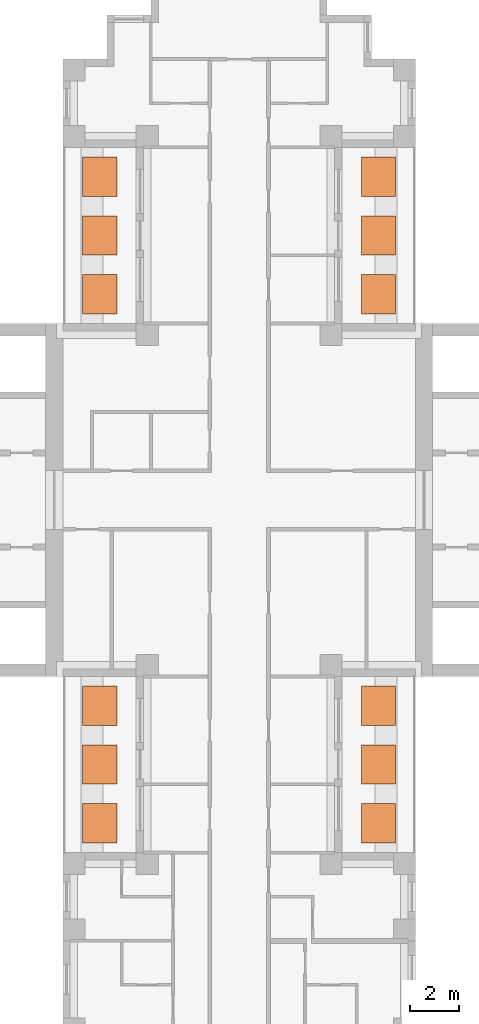
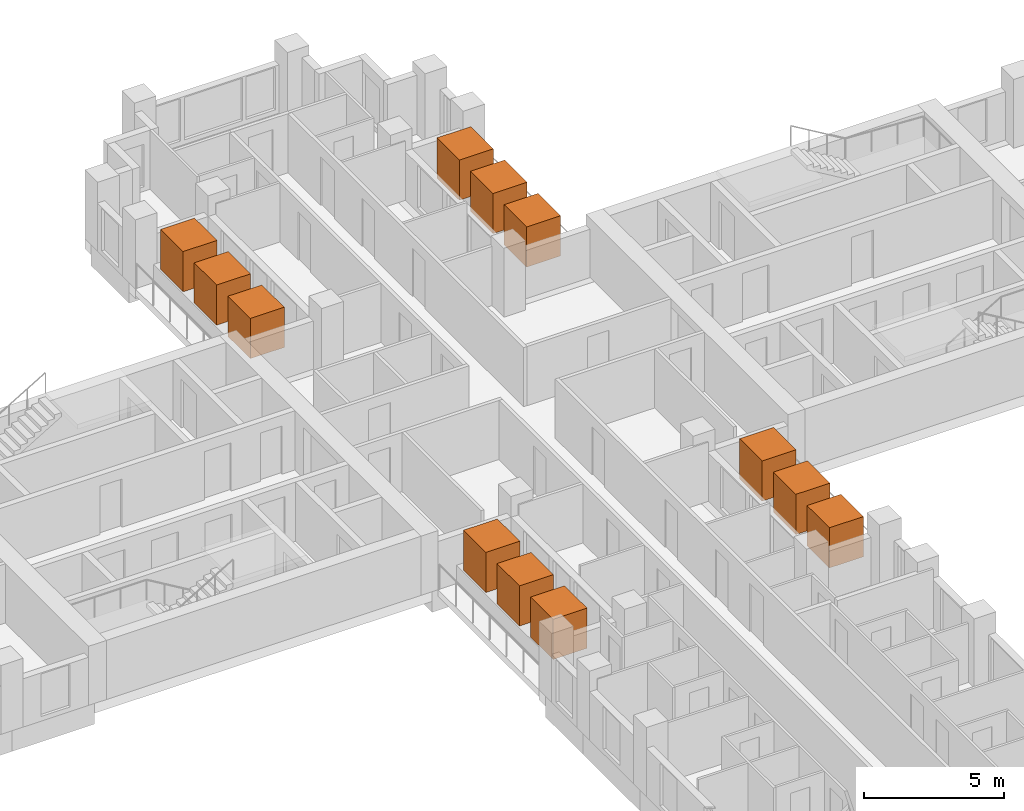
# One storey, part 14 of 14: 12 geographic elements.
"""IFC4 building model written with IfcOpenShell, lengths in metres."""

from ifc_helpers import new_model, si_unit, direction, frame, origin, origin_2d, place, context, subcontext, project, spatial, rectangle, extrude, material, element, save


model = new_model("IFC4")

# Units and contexts
model_context = context("Model", 3, precision=1e-05, world=origin(), true_north=direction((0.0, 1.0)))
body_context = subcontext(model_context, "Body", "Model", "MODEL_VIEW")
ifc_project = project(units=[si_unit("LENGTHUNIT", "METRE"), si_unit("AREAUNIT", "SQUARE_METRE"), si_unit("VOLUMEUNIT", "CUBIC_METRE"), si_unit("PLANEANGLEUNIT", "RADIAN"), si_unit("MASSUNIT", "GRAM", prefix="KILO")], contexts=[model_context])

# Site, building, storey
site_placement = place(None, origin())
site = spatial("IfcSite", under=ifc_project, at=site_placement, CompositionType="ELEMENT")
building_placement = place(site_placement, origin())
building = spatial("IfcBuilding", under=site, at=building_placement, Name="Fustian Cross Tower", CompositionType="ELEMENT")
storey_placement = place(building_placement, frame((0.0, 0.0, 72.89990234375)))
storey = spatial("IfcBuildingStorey", under=building, at=storey_placement, Name="L22", CompositionType="ELEMENT", Elevation=72.89990234375)

# Geographic elements
ifc_material = material(Name="Evergreen foliage")
for number, where, z_axis, x_axis, name in (
    (1, (5.68994140625, 8.39990234375, 0.800048828125), (0.0, 0.0, 1.0), (1.0, 0.0, 0.0), "TREE field maple"),
    (2, (5.68994140625, 10.800048828125, 0.800048828125), (0.0, 0.0, 1.0), (1.0, 0.0, 0.0), "TREE field maple"),
    (3, (5.68994140625, 13.199951171875, 0.800048828125), (0.0, 0.0, 1.0), (1.0, 0.0, 0.0), "TREE field maple"),
    (4, (-5.68994140625, 8.39990234375, 0.800048828125), (0.0, 0.0, 1.0), (1.0, 0.0, 0.0), "TREE field maple"),
    (5, (-5.68994140625, 10.800048828125, 0.800048828125), (0.0, 0.0, 1.0), (1.0, 0.0, 0.0), "TREE field maple"),
    (6, (-5.68994140625, 13.199951171875, 0.800048828125), (0.0, 0.0, 1.0), (1.0, 0.0, 0.0), "TREE field maple"),
    (7, (5.68994140625, -13.199951171875, 0.800048828125), (0.0, 0.0, 1.0), (1.0, 0.0, 0.0), "TREE field maple"),
    (8, (5.68994140625, -10.800048828125, 0.800048828125), (0.0, 0.0, 1.0), (1.0, 0.0, 0.0), "TREE field maple"),
    (9, (5.68994140625, -8.39990234375, 0.800048828125), (0.0, 0.0, 1.0), (1.0, 0.0, 0.0), "TREE field maple"),
    (10, (-5.68994140625, -13.199951171875, 0.800048828125), (0.0, 0.0, 1.0), (1.0, 0.0, 0.0), "TREE field maple"),
    (11, (-5.68994140625, -10.800048828125, 0.800048828125), (0.0, 0.0, 1.0), (1.0, 0.0, 0.0), "TREE field maple"),
    (12, (-5.68994140625, -8.39990234375, 0.800048828125), (0.0, 0.0, 1.0), (1.0, 0.0, 0.0), "TREE field maple"),
):
    element("IfcGeographicElement", number, at=place(storey_placement, frame(where, z_axis=z_axis, x_axis=x_axis)), inside=storey, material=ifc_material, Name=name, ObjectType="VEGETATION", PredefinedType="USERDEFINED", context=body_context, shape_type="SweptSolid", body=[
        extrude(rectangle(XDim=1.39990234375, YDim=1.60009765625, at=origin_2d()), origin(), (0.0, 0.0, 1.0), 1.75),
    ])

save(model, "model.ifc")
